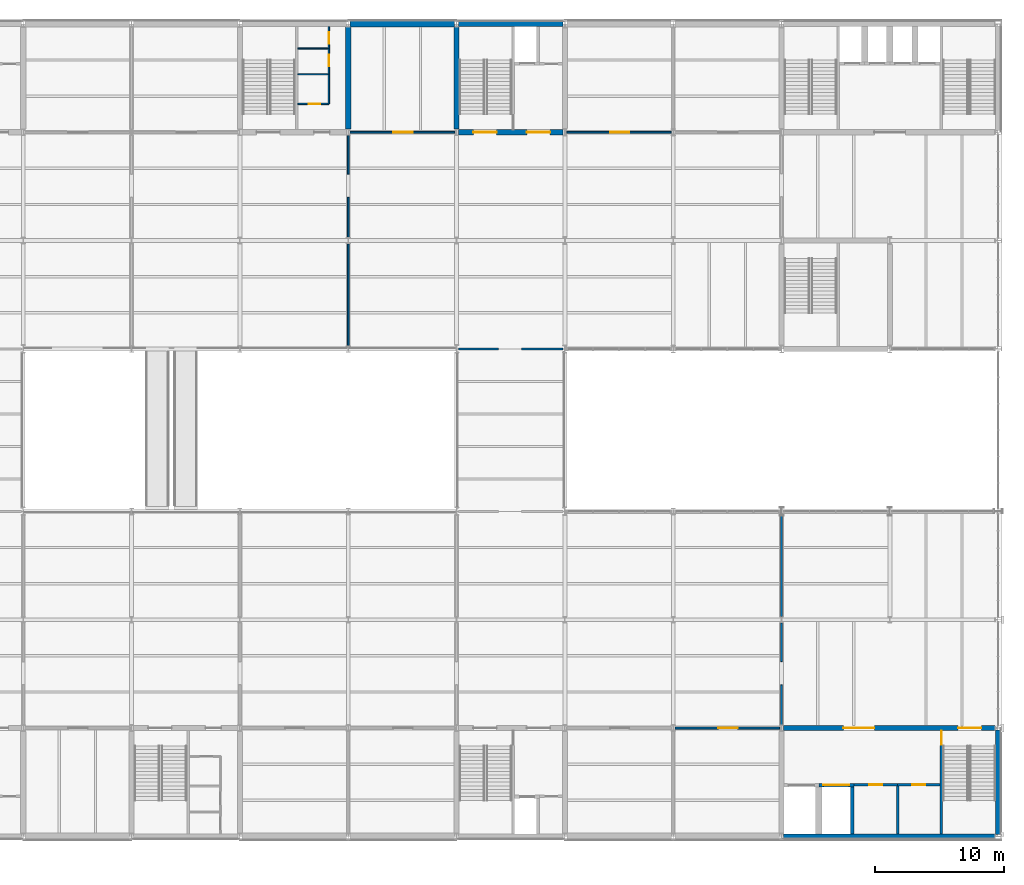
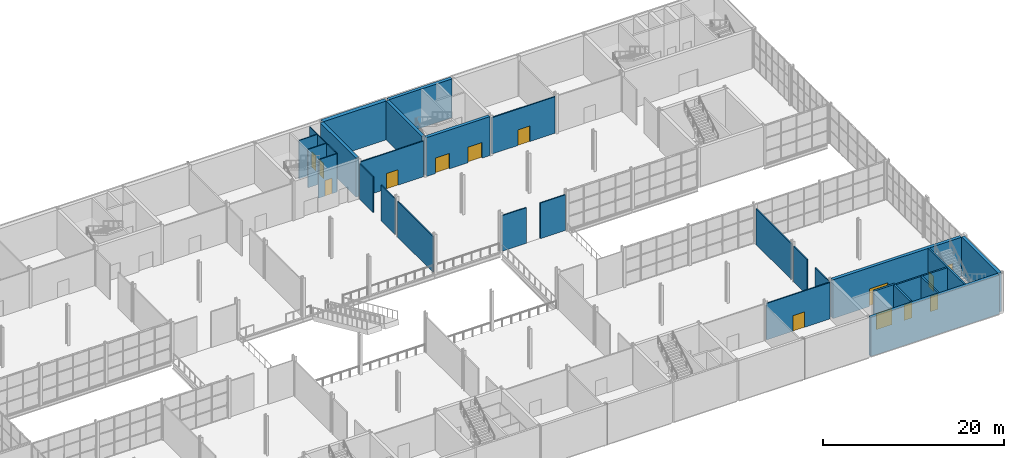
# One storey, part 43 of 64: 31 walls, 14 doors, 14 openings.
"""IFC4 building model written with IfcOpenShell, lengths in metres."""

from ifc_helpers import new_model, si_unit, direction, frame, frame_2d, origin, place, context, subcontext, project, spatial, rectangle, extrude, material, layer, layer_set, type_object, element, fill, save


model = new_model("IFC4")

# Units and contexts
model_context = context("Model", 3, precision=1e-05, world=origin(), true_north=direction((0.0, 1.0)))
body_context = subcontext(model_context, "Body", "Model", "MODEL_VIEW")
ifc_project = project(units=[si_unit("LENGTHUNIT", "METRE"), si_unit("AREAUNIT", "SQUARE_METRE"), si_unit("VOLUMEUNIT", "CUBIC_METRE"), si_unit("PLANEANGLEUNIT", "RADIAN"), si_unit("MASSUNIT", "GRAM", prefix="KILO")], contexts=[model_context])

# Site, building, storey
site_placement = place(None, origin())
site = spatial("IfcSite", under=ifc_project, at=site_placement, CompositionType="ELEMENT")
building_placement = place(site_placement, origin())
building = spatial("IfcBuilding", under=site, at=building_placement, Name="Galleria Vessillo Department Store", CompositionType="ELEMENT")
storey_placement = place(building_placement, frame((0.0, 0.0, 6.0)))
storey = spatial("IfcBuildingStorey", under=building, at=storey_placement, Name="L01", CompositionType="ELEMENT", Elevation=6.0)

# Wall, opening, door
ifc_material_1 = material(Name="Solid clay block masonry", Category="masonry")
ifc_layer_1 = layer(ifc_material_1, 0.25)
ifc_layer_set_1 = layer_set([ifc_layer_1], Name="Solid clay block masonry")
wall_type_1 = type_object("IfcWallType", Name="Lift shaft wall 250 mm", PredefinedType="SOLIDWALL", material=ifc_layer_set_1)
wall_1_placement = place(storey_placement, frame((103.699951171875, 3.97509765625, 0.0), z_axis=(0.0, 0.0, 1.0), x_axis=(1.0, 0.0, 0.0)))
wall_1 = element("IfcWall", 1, at=wall_1_placement, inside=storey, type_object=wall_type_1, Name="Lift shaft wall GL2 landing side L01", PredefinedType="SOLIDWALL", context=body_context, shape_type="SweptSolid", body=[
    extrude(rectangle(XDim=2.699951171875, YDim=0.25, at=frame_2d((1.35009765625, 0.0))), origin(), (0.0, 0.0, 1.0), 5.39990234375),
])
opening_1_placement = place(wall_1_placement, frame((0.35009765625, 0.0, 0.0)))
opening_1 = element("IfcOpeningElement", 2, at=opening_1_placement, cuts=wall_1, Name="Opening LD056", PredefinedType="OPENING", context=body_context, shape_type="SweptSolid", body=[
    extrude(rectangle(XDim=2.0, YDim=2.199951171875, at=frame_2d((1.0, 1.10009765625))), frame((0.0, 0.135009765625, 0.0), z_axis=(0.0, -1.0, 0.0), x_axis=(1.0, 0.0, 0.0)), (0.0, 0.0, 1.0), 0.27001953125),
])
ifc_material_2 = material(Name="Stainless steel lift door panel", Category="steel")
door_type_1 = type_object("IfcDoorType", Name="Lift landing door LD200 sliding 2000 x 2200", OperationType="DOUBLE_DOOR_SLIDING", PredefinedType="DOOR", material=ifc_material_2)
door_1_placement = place(opening_1_placement, origin())
door_1 = element("IfcDoor", 3, at=door_1_placement, inside=storey, type_object=door_type_1, Name="Lift landing door GL2 L01", OperationType="DOUBLE_DOOR_SLIDING", OverallHeight=2.199951171875, OverallWidth=2.0, PredefinedType="DOOR", context=body_context, shape_type="SweptSolid", body=[
    extrude(rectangle(XDim=2.0, YDim=2.199951171875, at=frame_2d((1.0, 1.10009765625))), frame((0.0, 0.02490234375, 0.0), z_axis=(0.0, -1.0, 0.0), x_axis=(1.0, 0.0, 0.0)), (0.0, 0.0, 1.0), 0.050048828125),
])
fill(opening_1, door_1)

# Wall
wall_2_placement = place(storey_placement, frame((106.27490234375, 0.199951171875, 0.0), z_axis=(0.0, 0.0, 1.0), x_axis=(0.0, 1.0, 0.0)))
element("IfcWall", 4, at=wall_2_placement, inside=storey, type_object=wall_type_1, Name="Lift shaft wall GL2 L01", PredefinedType="SOLIDWALL", context=body_context, shape_type="SweptSolid", body=[
    extrude(rectangle(XDim=3.650146484375, YDim=0.25, at=frame_2d((1.8251953125, 0.0))), origin(), (0.0, 0.0, 1.0), 5.39990234375),
])

# Wall, openings, doors
ifc_material_3 = material(Name="Concrete C32/40 reinforced", Category="concrete")
ifc_layer_2 = layer(ifc_material_3, 0.39990234375)
ifc_layer_set_2 = layer_set([ifc_layer_2], Name="Concrete C32/40 reinforced")
wall_type_2 = type_object("IfcWallType", Name="Reinforced concrete core wall 400 mm", PredefinedType="SHEAR", material=ifc_layer_set_2)
wall_3_placement = place(storey_placement, frame((75.75, 54.60009765625, 0.0), z_axis=(0.0, 0.0, 1.0), x_axis=(1.0, 0.0, 0.0)))
wall_3 = element("IfcWall", 5, at=wall_3_placement, inside=storey, type_object=wall_type_2, Name="S-CW-PC-NE-INTERIOR-L01", PredefinedType="SHEAR", context=body_context, shape_type="SweptSolid", body=[
    extrude(rectangle(XDim=8.096923828125, YDim=0.39990234375, at=frame_2d((4.04833984375, 0.0))), origin(), (0.0, 0.0, 1.0), 5.25),
])
opening_2_placement = place(wall_3_placement, frame((1.14990234375, 0.0, 0.0)))
opening_2 = element("IfcOpeningElement", 6, at=opening_2_placement, cuts=wall_3, Name="Opening D5171", PredefinedType="OPENING", context=body_context, shape_type="SweptSolid", body=[
    extrude(rectangle(XDim=1.800048828125, YDim=2.10009765625, at=frame_2d((0.89990234375, 1.050048828125))), frame((0.0, 0.2099609375, 0.0), z_axis=(0.0, -1.0, 0.0), x_axis=(1.0, 0.0, 0.0)), (0.0, 0.0, 1.0), 0.419921875),
])
opening_3_placement = place(wall_3_placement, frame((5.2998046875, 0.0, 0.0)))
opening_3 = element("IfcOpeningElement", 7, at=opening_3_placement, cuts=wall_3, Name="Opening D5172", PredefinedType="OPENING", context=body_context, shape_type="SweptSolid", body=[
    extrude(rectangle(XDim=1.800048828125, YDim=2.10009765625, at=frame_2d((0.89990234375, 1.050048828125))), frame((0.0, 0.2099609375, 0.0), z_axis=(0.0, -1.0, 0.0), x_axis=(1.0, 0.0, 0.0)), (0.0, 0.0, 1.0), 0.419921875),
])
ifc_material_4 = material(Name="Fire-rated steel door leaf", Category="steel")
door_type_2 = type_object("IfcDoorType", Name="Door D180F double leaf 1800 x 2100", OperationType="DOUBLE_DOOR_SINGLE_SWING", PredefinedType="DOOR", material=ifc_material_4)
door_2_placement = place(opening_2_placement, origin())
door_2 = element("IfcDoor", 8, at=door_2_placement, inside=storey, type_object=door_type_2, Name="Lobby door PC-NE-ST-FLOOR L01", OperationType="DOUBLE_DOOR_SINGLE_SWING", OverallHeight=2.10009765625, OverallWidth=1.800048828125, PredefinedType="DOOR", context=body_context, shape_type="SweptSolid", body=[
    extrude(rectangle(XDim=1.800048828125, YDim=2.10009765625, at=frame_2d((0.89990234375, 1.050048828125))), frame((0.0, 0.02490234375, 0.0), z_axis=(0.0, -1.0, 0.0), x_axis=(1.0, 0.0, 0.0)), (0.0, 0.0, 1.0), 0.050048828125),
])
fill(opening_2, door_2)
door_3_placement = place(opening_3_placement, origin())
door_3 = element("IfcDoor", 9, at=door_3_placement, inside=storey, type_object=door_type_2, Name="Lobby door PC-NE-LOBBY-FLOOR L01", OperationType="DOUBLE_DOOR_SINGLE_SWING", OverallHeight=2.10009765625, OverallWidth=1.800048828125, PredefinedType="DOOR", context=body_context, shape_type="SweptSolid", body=[
    extrude(rectangle(XDim=1.800048828125, YDim=2.10009765625, at=frame_2d((0.89990234375, 1.050048828125))), frame((0.0, 0.02490234375, 0.0), z_axis=(0.0, -1.0, 0.0), x_axis=(1.0, 0.0, 0.0)), (0.0, 0.0, 1.0), 0.050048828125),
])
fill(opening_3, door_3)

# Walls
for number, where, z_axis, x_axis, name in (
    (10, (75.60009765625, 54.85009765625, 0.0), (0.0, 0.0, 1.0), (0.0, 1.0, 0.0), "S-CW-PC-NE-WEST-L01"),
    (11, (67.199951171875, 54.85009765625, 0.0), (0.0, 0.0, 1.0), (0.0, 1.0, 0.0), "S-CW-PC-NC-EAST-L01"),
):
    element("IfcWall", number, at=place(storey_placement, frame(where, z_axis=z_axis, x_axis=x_axis)), inside=storey, type_object=wall_type_2, Name=name, PredefinedType="SHEAR", context=body_context, shape_type="SweptSolid", body=[
        extrude(rectangle(XDim=7.89990234375, YDim=0.39990234375, at=frame_2d((3.949951171875, 0.0))), origin(), (0.0, 0.0, 1.0), 5.25),
    ])

# Wall, openings, doors
wall_4_placement = place(storey_placement, frame((100.949951171875, 8.39990234375, 0.0), z_axis=(0.0, 0.0, 1.0), x_axis=(1.0, 0.0, 0.0)))
wall_4 = element("IfcWall", 12, at=wall_4_placement, inside=storey, type_object=wall_type_2, Name="S-CW-GC-INTERIOR-L01", PredefinedType="SHEAR", context=body_context, shape_type="SweptSolid", body=[
    extrude(rectangle(XDim=16.400146484375, YDim=0.39990234375, at=frame_2d((8.2001953125, 0.0))), origin(), (0.0, 0.0, 1.0), 5.25),
])
opening_4_placement = place(wall_4_placement, frame((13.5498046875, 0.0, 0.0)))
opening_4 = element("IfcOpeningElement", 13, at=opening_4_placement, cuts=wall_4, Name="Opening D5237", PredefinedType="OPENING", context=body_context, shape_type="SweptSolid", body=[
    extrude(rectangle(XDim=1.800048828125, YDim=2.10009765625, at=frame_2d((0.89990234375, 1.050048828125))), frame((0.0, 0.2099609375, 0.0), z_axis=(0.0, -1.0, 0.0), x_axis=(1.0, 0.0, 0.0)), (0.0, 0.0, 1.0), 0.419921875),
])
opening_5_placement = place(wall_4_placement, frame((4.64990234375, 0.0, 0.0)))
opening_5 = element("IfcOpeningElement", 14, at=opening_5_placement, cuts=wall_4, Name="Opening D5238", PredefinedType="OPENING", context=body_context, shape_type="SweptSolid", body=[
    extrude(rectangle(XDim=2.39990234375, YDim=2.39990234375, at=frame_2d((1.199951171875, 1.199951171875))), frame((0.0, 0.2099609375, 0.0), z_axis=(0.0, -1.0, 0.0), x_axis=(1.0, 0.0, 0.0)), (0.0, 0.0, 1.0), 0.419921875),
])
door_4_placement = place(opening_4_placement, frame((1.800048828125, 0.0, 0.0), z_axis=(0.0, 0.0, 1.0), x_axis=(-1.0, 0.0, 0.0)))
door_4 = element("IfcDoor", 15, at=door_4_placement, inside=storey, type_object=door_type_2, Name="Lobby door GC-ST7-FLOOR L01", OperationType="DOUBLE_DOOR_SINGLE_SWING", OverallHeight=2.10009765625, OverallWidth=1.800048828125, PredefinedType="DOOR", context=body_context, shape_type="SweptSolid", body=[
    extrude(rectangle(XDim=1.800048828125, YDim=2.10009765625, at=frame_2d((0.89990234375, 1.050048828125))), frame((0.0, 0.02490234375, 0.0), z_axis=(0.0, -1.0, 0.0), x_axis=(1.0, 0.0, 0.0)), (0.0, 0.0, 1.0), 0.050048828125),
])
fill(opening_4, door_4)
ifc_material_5 = material(Name="Fire-rated steel door leaf", Category="steel")
door_type_3 = type_object("IfcDoorType", Name="Door D240F double leaf 2400 x 2400", OperationType="DOUBLE_DOOR_SINGLE_SWING", PredefinedType="DOOR", material=ifc_material_5)
door_5_placement = place(opening_5_placement, frame((2.39990234375, 0.0, 0.0), z_axis=(0.0, 0.0, 1.0), x_axis=(-1.0, 0.0, 0.0)))
door_5 = element("IfcDoor", 16, at=door_5_placement, inside=storey, type_object=door_type_3, Name="Lobby door GC-DOCK L01", OperationType="DOUBLE_DOOR_SINGLE_SWING", OverallHeight=2.39990234375, OverallWidth=2.39990234375, PredefinedType="DOOR", context=body_context, shape_type="SweptSolid", body=[
    extrude(rectangle(XDim=2.39990234375, YDim=2.39990234375, at=frame_2d((1.199951171875, 1.199951171875))), frame((0.0, 0.02490234375, 0.0), z_axis=(0.0, -1.0, 0.0), x_axis=(1.0, 0.0, 0.0)), (0.0, 0.0, 1.0), 0.050048828125),
])
fill(opening_5, door_5)

# Walls
ifc_material_6 = material(Name="Concrete C32/40 reinforced", Category="concrete")
ifc_layer_3 = layer(ifc_material_6, 0.39990234375)
ifc_layer_set_3 = layer_set([ifc_layer_3], Name="Concrete C32/40 reinforced")
wall_type_3 = type_object("IfcWallType", Name="Reinforced concrete core wall 400 mm, external", PredefinedType="SHEAR", material=ifc_layer_set_3)
wall_5_placement = place(storey_placement, frame((75.75, 63.0, 0.0), z_axis=(0.0, 0.0, 1.0), x_axis=(1.0, 0.0, 0.0)))
element("IfcWall", 17, at=wall_5_placement, inside=storey, type_object=wall_type_3, Name="S-CW-PC-NE-PARTY-L01", PredefinedType="SHEAR", context=body_context, shape_type="SweptSolid", body=[
    extrude(rectangle(XDim=8.096923828125, YDim=0.39990234375, at=frame_2d((4.04833984375, 0.0))), origin(), (0.0, 0.0, 1.0), 5.25),
])
wall_6_placement = place(storey_placement, frame((100.949951171875, 0.0, 0.0), z_axis=(0.0, 0.0, 1.0), x_axis=(1.0, 0.0, 0.0)))
element("IfcWall", 18, at=wall_6_placement, inside=storey, type_object=wall_type_3, Name="S-CW-GC-PARTY-L01", PredefinedType="SHEAR", context=body_context, shape_type="SweptSolid", body=[
    extrude(rectangle(XDim=16.400146484375, YDim=0.39990234375, at=frame_2d((8.2001953125, 0.0))), origin(), (0.0, 0.0, 1.0), 5.25),
])
wall_7_placement = place(storey_placement, frame((117.60009765625, 0.14990234375, 0.0), z_axis=(0.0, 0.0, 1.0), x_axis=(0.0, 1.0, 0.0)))
element("IfcWall", 19, at=wall_7_placement, inside=storey, type_object=wall_type_3, Name="S-CW-GC-EAST-L01", PredefinedType="SHEAR", context=body_context, shape_type="SweptSolid", body=[
    extrude(rectangle(XDim=8.10009765625, YDim=0.39990234375, at=frame_2d((4.050048828125, 0.0))), origin(), (0.0, 0.0, 1.0), 5.25),
])
ifc_material_7 = material(Name="Concrete C32/40 reinforced", Category="concrete")
ifc_layer_4 = layer(ifc_material_7, 0.5)
ifc_layer_set_4 = layer_set([ifc_layer_4], Name="Concrete C32/40 reinforced")
wall_type_4 = type_object("IfcWallType", Name="Reinforced concrete party wall 500 mm", PredefinedType="SHEAR", material=ifc_layer_set_4)
wall_8_placement = place(storey_placement, frame((67.349853515625, 63.0, 0.0), z_axis=(0.0, 0.0, 1.0), x_axis=(1.0, 0.0, 0.0)))
element("IfcWall", 20, at=wall_8_placement, inside=storey, type_object=wall_type_4, Name="S-PN-L01-06", PredefinedType="SHEAR", context=body_context, shape_type="SweptSolid", body=[
    extrude(rectangle(XDim=8.100341796875, YDim=0.5, at=frame_2d((4.05029296875, 0.0))), origin(), (0.0, 0.0, 1.0), 5.25),
])

# Wall, opening, door
ifc_material_8 = material(Name="Concrete C32/40 reinforced", Category="concrete")
ifc_layer_5 = layer(ifc_material_8, 0.199951171875)
ifc_layer_set_5 = layer_set([ifc_layer_5], Name="Concrete C32/40 reinforced")
wall_type_5 = type_object("IfcWallType", Name="Reinforced concrete stair enclosure wall 200 mm", PredefinedType="SHEAR", material=ifc_layer_set_5)
wall_9_placement = place(storey_placement, frame((113.199951171875, 0.199951171875, 0.0), z_axis=(0.0, 0.0, 1.0), x_axis=(0.0, 1.0, 0.0)))
wall_9 = element("IfcWall", 21, at=wall_9_placement, inside=storey, type_object=wall_type_5, Name="Stair enclosure wall GC L01", PredefinedType="SHEAR", context=body_context, shape_type="SweptSolid", body=[
    extrude(rectangle(XDim=8.0, YDim=0.199951171875, at=frame_2d((4.0, 0.0))), origin(), (0.0, 0.0, 1.0), 5.25),
])
opening_6_placement = place(wall_9_placement, frame((6.89990234375, 0.0, 0.0)))
opening_6 = element("IfcOpeningElement", 22, at=opening_6_placement, cuts=wall_9, Name="Opening D5234", PredefinedType="OPENING", context=body_context, shape_type="SweptSolid", body=[
    extrude(rectangle(XDim=1.11009765625, YDim=2.10009765625, at=frame_2d((0.554931640625, 1.050048828125))), frame((0.0, 0.10986328125, 0.0), z_axis=(0.0, -1.0, 0.0), x_axis=(1.0, 0.0, 0.0)), (0.0, 0.0, 1.0), 0.219970703125),
])
ifc_material_9 = material(Name="Fire-rated steel door leaf", Category="steel")
door_type_4 = type_object("IfcDoorType", Name="Door D110F stair door 1100 x 2100", OperationType="SINGLE_SWING_LEFT", PredefinedType="DOOR", material=ifc_material_9)
door_6_placement = place(opening_6_placement, frame((1.10009765625, 0.0, 0.0), z_axis=(0.0, 0.0, 1.0), x_axis=(-1.0, 0.0, 0.0)))
door_6 = element("IfcDoor", 23, at=door_6_placement, inside=storey, type_object=door_type_4, Name="Stair door GC-ST7-LOBBY L01", OperationType="SINGLE_SWING_LEFT", OverallHeight=2.10009765625, OverallWidth=1.10009765625, PredefinedType="DOOR", context=body_context, shape_type="SweptSolid", body=[
    extrude(rectangle(XDim=1.10009765625, YDim=2.10009765625, at=frame_2d((0.550048828125, 1.050048828125))), frame((0.0, 0.02490234375, 0.0), z_axis=(0.0, -1.0, 0.0), x_axis=(1.0, 0.0, 0.0)), (0.0, 0.0, 1.0), 0.050048828125),
])
fill(opening_6, door_6)

ifc_material_10 = material(Name="Hollow clay block masonry", Category="masonry")
ifc_layer_6 = layer(ifc_material_10, 0.199951171875)
ifc_layer_set_6 = layer_set([ifc_layer_6], Name="Hollow clay block masonry")
wall_type_6 = type_object("IfcWallType", Name="Riser and service room wall 200 mm", PredefinedType="PARTITIONING", material=ifc_layer_set_6)
wall_10_placement = place(storey_placement, frame((106.39990234375, 4.0, 0.0), z_axis=(0.0, 0.0, 1.0), x_axis=(1.0, 0.0, 0.0)))
wall_10 = element("IfcWall", 24, at=wall_10_placement, inside=storey, type_object=wall_type_6, Name="Service room wall GC-SERVICE-1 L01", PredefinedType="PARTITIONING", context=body_context, shape_type="SweptSolid", body=[
    extrude(rectangle(XDim=3.400146484375, YDim=0.199951171875, at=frame_2d((1.7001953125, 0.0))), origin(), (0.0, 0.0, 1.0), 5.25),
])
opening_7_placement = place(wall_10_placement, frame((1.2001953125, 0.0, 0.0)))
opening_7 = element("IfcOpeningElement", 25, at=opening_7_placement, cuts=wall_10, Name="Opening D5235", PredefinedType="OPENING", context=body_context, shape_type="SweptSolid", body=[
    extrude(rectangle(XDim=1.0, YDim=2.10009765625, at=frame_2d((0.5, 1.050048828125))), frame((0.0, 0.10986328125, 0.0), z_axis=(0.0, -1.0, 0.0), x_axis=(1.0, 0.0, 0.0)), (0.0, 0.0, 1.0), 0.219970703125),
])
ifc_material_11 = material(Name="Fire-rated steel door leaf", Category="steel")
door_type_5 = type_object("IfcDoorType", Name="Door D100 service room 1000 x 2100", OperationType="SINGLE_SWING_LEFT", PredefinedType="DOOR", material=ifc_material_11)
door_7_placement = place(opening_7_placement, frame((1.0, 0.0, 0.0), z_axis=(0.0, 0.0, 1.0), x_axis=(-1.0, 0.0, 0.0)))
door_7 = element("IfcDoor", 26, at=door_7_placement, inside=storey, type_object=door_type_5, Name="Service room door GC-SERVICE-1 L01", OperationType="SINGLE_SWING_LEFT", OverallHeight=2.10009765625, OverallWidth=1.0, PredefinedType="DOOR", context=body_context, shape_type="SweptSolid", body=[
    extrude(rectangle(XDim=1.0, YDim=2.10009765625, at=frame_2d((0.5, 1.050048828125))), frame((0.0, 0.02490234375, 0.0), z_axis=(0.0, -1.0, 0.0), x_axis=(1.0, 0.0, 0.0)), (0.0, 0.0, 1.0), 0.050048828125),
])
fill(opening_7, door_7)

# Wall
wall_11_placement = place(storey_placement, frame((109.800048828125, 0.199951171875, 0.0), z_axis=(0.0, 0.0, 1.0), x_axis=(0.0, 1.0, 0.0)))
element("IfcWall", 27, at=wall_11_placement, inside=storey, type_object=wall_type_6, Name="Service room partition GC L01", PredefinedType="PARTITIONING", context=body_context, shape_type="SweptSolid", body=[
    extrude(rectangle(XDim=3.7001953125, YDim=0.199951171875, at=frame_2d((1.85009765625, 0.0))), origin(), (0.0, 0.0, 1.0), 5.25),
])

# Wall, opening, door
wall_12_placement = place(storey_placement, frame((109.800048828125, 4.0, 0.0), z_axis=(0.0, 0.0, 1.0), x_axis=(1.0, 0.0, 0.0)))
wall_12 = element("IfcWall", 28, at=wall_12_placement, inside=storey, type_object=wall_type_6, Name="Service room wall GC-SERVICE-2 L01", PredefinedType="PARTITIONING", context=body_context, shape_type="SweptSolid", body=[
    extrude(rectangle(XDim=3.300048828125, YDim=0.199951171875, at=frame_2d((1.64990234375, 0.0))), origin(), (0.0, 0.0, 1.0), 5.25),
])
opening_8_placement = place(wall_12_placement, frame((1.14990234375, 0.0, 0.0)))
opening_8 = element("IfcOpeningElement", 29, at=opening_8_placement, cuts=wall_12, Name="Opening D5236", PredefinedType="OPENING", context=body_context, shape_type="SweptSolid", body=[
    extrude(rectangle(XDim=1.0, YDim=2.10009765625, at=frame_2d((0.5, 1.050048828125))), frame((0.0, 0.10986328125, 0.0), z_axis=(0.0, -1.0, 0.0), x_axis=(1.0, 0.0, 0.0)), (0.0, 0.0, 1.0), 0.219970703125),
])
door_8_placement = place(opening_8_placement, frame((1.0, 0.0, 0.0), z_axis=(0.0, 0.0, 1.0), x_axis=(-1.0, 0.0, 0.0)))
door_8 = element("IfcDoor", 30, at=door_8_placement, inside=storey, type_object=door_type_5, Name="Service room door GC-SERVICE-2 L01", OperationType="SINGLE_SWING_RIGHT", OverallHeight=2.10009765625, OverallWidth=1.0, PredefinedType="DOOR", context=body_context, shape_type="SweptSolid", body=[
    extrude(rectangle(XDim=1.0, YDim=2.10009765625, at=frame_2d((0.5, 1.050048828125))), frame((0.0, 0.02490234375, 0.0), z_axis=(0.0, -1.0, 0.0), x_axis=(1.0, 0.0, 0.0)), (0.0, 0.0, 1.0), 0.050048828125),
])
fill(opening_8, door_8)

# Walls
ifc_material_12 = material(Name="Gypsum board partition")
ifc_layer_7 = layer(ifc_material_12, 0.139892578125)
ifc_layer_set_7 = layer_set([ifc_layer_7], Name="Gypsum board partition")
wall_type_7 = type_object("IfcWallType", Name="Sales dividing wall 140 mm", PredefinedType="PARTITIONING", material=ifc_layer_set_7)
wall_13_placement = place(storey_placement, frame((100.800048828125, 8.64990234375, 0.0), z_axis=(0.0, 0.0, 1.0), x_axis=(0.0, 1.0, 0.0)))
element("IfcWall", 31, at=wall_13_placement, inside=storey, type_object=wall_type_7, Name="Partition wall PT3 on L01 no. 047", PredefinedType="PARTITIONING", context=body_context, shape_type="SweptSolid", body=[
    extrude(rectangle(XDim=3.10009765625, YDim=0.139892578125, at=frame_2d((1.550048828125, 0.0))), origin(), (0.0, 0.0, 1.0), 4.81005859375),
])
wall_14_placement = place(storey_placement, frame((100.800048828125, 13.5498046875, 0.0), z_axis=(0.0, 0.0, 1.0), x_axis=(0.0, 1.0, 0.0)))
element("IfcWall", 32, at=wall_14_placement, inside=storey, type_object=wall_type_7, Name="Partition wall PT3 on L01 no. 048", PredefinedType="PARTITIONING", context=body_context, shape_type="SweptSolid", body=[
    extrude(rectangle(XDim=3.000244140625, YDim=0.139892578125, at=frame_2d((1.5, 0.0))), origin(), (0.0, 0.0, 1.0), 4.81005859375),
])
wall_15_placement = place(storey_placement, frame((100.800048828125, 17.050048828125, 0.0), z_axis=(0.0, 0.0, 1.0), x_axis=(0.0, 1.0, 0.0)))
element("IfcWall", 33, at=wall_15_placement, inside=storey, type_object=wall_type_7, Name="Partition wall PT3 on L01 no. 049", PredefinedType="PARTITIONING", context=body_context, shape_type="SweptSolid", body=[
    extrude(rectangle(XDim=7.81591796875, YDim=0.139892578125, at=frame_2d((3.907958984375, 0.0))), origin(), (0.0, 0.0, 1.0), 4.81005859375),
])
wall_16_placement = place(storey_placement, frame((67.199951171875, 38.06201171875, 0.0), z_axis=(0.0, 0.0, 1.0), x_axis=(0.0, 1.0, 0.0)))
element("IfcWall", 34, at=wall_16_placement, inside=storey, type_object=wall_type_7, Name="Partition wall PT3 on L01 no. 060", PredefinedType="PARTITIONING", context=body_context, shape_type="SweptSolid", body=[
    extrude(rectangle(XDim=7.887939453125, YDim=0.139892578125, at=frame_2d((3.94384765625, 0.0))), origin(), (0.0, 0.0, 1.0), 4.81005859375),
])
wall_17_placement = place(storey_placement, frame((67.199951171875, 46.449951171875, 0.0), z_axis=(0.0, 0.0, 1.0), x_axis=(0.0, 1.0, 0.0)))
element("IfcWall", 35, at=wall_17_placement, inside=storey, type_object=wall_type_7, Name="Partition wall PT3 on L01 no. 061", PredefinedType="PARTITIONING", context=body_context, shape_type="SweptSolid", body=[
    extrude(rectangle(XDim=3.10009765625, YDim=0.139892578125, at=frame_2d((1.550048828125, 0.0))), origin(), (0.0, 0.0, 1.0), 4.81005859375),
])
wall_18_placement = place(storey_placement, frame((67.199951171875, 51.349853515625, 0.0), z_axis=(0.0, 0.0, 1.0), x_axis=(0.0, 1.0, 0.0)))
element("IfcWall", 36, at=wall_18_placement, inside=storey, type_object=wall_type_7, Name="Partition wall PT3 on L01 no. 062", PredefinedType="PARTITIONING", context=body_context, shape_type="SweptSolid", body=[
    extrude(rectangle(XDim=3.000244140625, YDim=0.139892578125, at=frame_2d((1.5, 0.0))), origin(), (0.0, 0.0, 1.0), 4.81005859375),
])
wall_19_placement = place(storey_placement, frame((75.752685546875, 37.800048828125, 0.0), z_axis=(0.0, 0.0, 1.0), x_axis=(1.0, 0.0, 0.0)))
element("IfcWall", 37, at=wall_19_placement, inside=storey, type_object=wall_type_7, Name="Partition wall PT3 on L01 no. 065", PredefinedType="PARTITIONING", context=body_context, shape_type="SweptSolid", body=[
    extrude(rectangle(XDim=3.099853515625, YDim=0.139892578125, at=frame_2d((1.5498046875, 0.0))), origin(), (0.0, 0.0, 1.0), 4.81005859375),
])
wall_20_placement = place(storey_placement, frame((80.652587890625, 37.800048828125, 0.0), z_axis=(0.0, 0.0, 1.0), x_axis=(1.0, 0.0, 0.0)))
element("IfcWall", 38, at=wall_20_placement, inside=storey, type_object=wall_type_7, Name="Partition wall PT3 on L01 no. 066", PredefinedType="PARTITIONING", context=body_context, shape_type="SweptSolid", body=[
    extrude(rectangle(XDim=3.1943359375, YDim=0.139892578125, at=frame_2d((1.59716796875, 0.0))), origin(), (0.0, 0.0, 1.0), 4.81005859375),
])

# Wall, opening, door
ifc_material_13 = material(Name="Concrete blockwork", Category="masonry")
ifc_layer_8 = layer(ifc_material_13, 0.14990234375)
ifc_layer_set_8 = layer_set([ifc_layer_8], Name="Concrete blockwork")
wall_type_8 = type_object("IfcWallType", Name="Stockroom blockwork wall 150 mm", PredefinedType="SOLIDWALL", material=ifc_layer_set_8)
wall_21_placement = place(storey_placement, frame((92.5498046875, 8.39990234375, 0.0), z_axis=(0.0, 0.0, 1.0), x_axis=(1.0, 0.0, 0.0)))
wall_21 = element("IfcWall", 39, at=wall_21_placement, inside=storey, type_object=wall_type_8, Name="Partition wall PT4 on L01 no. 022", PredefinedType="SOLIDWALL", context=body_context, shape_type="SweptSolid", body=[
    extrude(rectangle(XDim=8.100341796875, YDim=0.14990234375, at=frame_2d((4.05029296875, 0.0))), origin(), (0.0, 0.0, 1.0), 4.919921875),
])
opening_9_placement = place(wall_21_placement, frame((3.35009765625, 0.0, 0.0)))
opening_9 = element("IfcOpeningElement", 40, at=opening_9_placement, cuts=wall_21, Name="Opening D2313", PredefinedType="OPENING", context=body_context, shape_type="SweptSolid", body=[
    extrude(rectangle(XDim=1.5, YDim=2.10009765625, at=frame_2d((0.75, 1.050048828125))), frame((0.0, 0.0849609375, 0.0), z_axis=(0.0, -1.0, 0.0), x_axis=(1.0, 0.0, 0.0)), (0.0, 0.0, 1.0), 0.169921875),
])
ifc_material_14 = material(Name="Steel fire door leaf", Category="steel")
door_type_6 = type_object("IfcDoorType", Name="Stockroom fire door 1500 double leaf", OperationType="DOUBLE_DOOR_SINGLE_SWING", PredefinedType="DOOR", material=ifc_material_14)
door_9_placement = place(opening_9_placement, frame((1.5, 0.0, 0.0), z_axis=(0.0, 0.0, 1.0), x_axis=(-1.0, 0.0, 0.0)))
door_9 = element("IfcDoor", 41, at=door_9_placement, inside=storey, type_object=door_type_6, Name="Door D2313", OperationType="DOUBLE_DOOR_SINGLE_SWING", OverallHeight=2.10009765625, OverallWidth=1.5, PredefinedType="DOOR", context=body_context, shape_type="SweptSolid", body=[
    extrude(rectangle(XDim=1.5, YDim=2.10009765625, at=frame_2d((0.75, 1.050048828125))), frame((0.0, 0.02490234375, 0.0), z_axis=(0.0, -1.0, 0.0), x_axis=(1.0, 0.0, 0.0)), (0.0, 0.0, 1.0), 0.050048828125),
])
fill(opening_9, door_9)

wall_22_placement = place(storey_placement, frame((67.349853515625, 54.60009765625, 0.0), z_axis=(0.0, 0.0, 1.0), x_axis=(1.0, 0.0, 0.0)))
wall_22 = element("IfcWall", 42, at=wall_22_placement, inside=storey, type_object=wall_type_8, Name="Partition wall PT4 on L01 no. 029", PredefinedType="SOLIDWALL", context=body_context, shape_type="SweptSolid", body=[
    extrude(rectangle(XDim=8.100341796875, YDim=0.14990234375, at=frame_2d((4.05029296875, 0.0))), origin(), (0.0, 0.0, 1.0), 4.81005859375),
])
opening_10_placement = place(wall_22_placement, frame((3.35009765625, 0.0, 0.0)))
opening_10 = element("IfcOpeningElement", 43, at=opening_10_placement, cuts=wall_22, Name="Opening D2318", PredefinedType="OPENING", context=body_context, shape_type="SweptSolid", body=[
    extrude(rectangle(XDim=1.5, YDim=2.10009765625, at=frame_2d((0.75, 1.050048828125))), frame((0.0, 0.0849609375, 0.0), z_axis=(0.0, -1.0, 0.0), x_axis=(1.0, 0.0, 0.0)), (0.0, 0.0, 1.0), 0.169921875),
])
door_10_placement = place(opening_10_placement, origin())
door_10 = element("IfcDoor", 44, at=door_10_placement, inside=storey, type_object=door_type_6, Name="Door D2318", OperationType="DOUBLE_DOOR_SINGLE_SWING", OverallHeight=2.10009765625, OverallWidth=1.5, PredefinedType="DOOR", context=body_context, shape_type="SweptSolid", body=[
    extrude(rectangle(XDim=1.5, YDim=2.10009765625, at=frame_2d((0.75, 1.050048828125))), frame((0.0, 0.02490234375, 0.0), z_axis=(0.0, -1.0, 0.0), x_axis=(1.0, 0.0, 0.0)), (0.0, 0.0, 1.0), 0.050048828125),
])
fill(opening_10, door_10)

wall_23_placement = place(storey_placement, frame((84.153076171875, 54.60009765625, 0.0), z_axis=(0.0, 0.0, 1.0), x_axis=(1.0, 0.0, 0.0)))
wall_23 = element("IfcWall", 45, at=wall_23_placement, inside=storey, type_object=wall_type_8, Name="Partition wall PT4 on L01 no. 031", PredefinedType="SOLIDWALL", context=body_context, shape_type="SweptSolid", body=[
    extrude(rectangle(XDim=8.09375, YDim=0.14990234375, at=frame_2d((4.046875, 0.0))), origin(), (0.0, 0.0, 1.0), 4.919921875),
])
opening_11_placement = place(wall_23_placement, frame((3.35009765625, 0.0, 0.0)))
opening_11 = element("IfcOpeningElement", 46, at=opening_11_placement, cuts=wall_23, Name="Opening D2319", PredefinedType="OPENING", context=body_context, shape_type="SweptSolid", body=[
    extrude(rectangle(XDim=1.5, YDim=2.10009765625, at=frame_2d((0.75, 1.050048828125))), frame((0.0, 0.0849609375, 0.0), z_axis=(0.0, -1.0, 0.0), x_axis=(1.0, 0.0, 0.0)), (0.0, 0.0, 1.0), 0.169921875),
])
door_11_placement = place(opening_11_placement, origin())
door_11 = element("IfcDoor", 47, at=door_11_placement, inside=storey, type_object=door_type_6, Name="Door D2319", OperationType="DOUBLE_DOOR_SINGLE_SWING", OverallHeight=2.10009765625, OverallWidth=1.5, PredefinedType="DOOR", context=body_context, shape_type="SweptSolid", body=[
    extrude(rectangle(XDim=1.5, YDim=2.10009765625, at=frame_2d((0.75, 1.050048828125))), frame((0.0, 0.02490234375, 0.0), z_axis=(0.0, -1.0, 0.0), x_axis=(1.0, 0.0, 0.0)), (0.0, 0.0, 1.0), 0.050048828125),
])
fill(opening_11, door_11)

ifc_material_15 = material(Name="Moisture-resistant board partition")
ifc_layer_9 = layer(ifc_material_15, 0.10009765625)
ifc_layer_set_9 = layer_set([ifc_layer_9], Name="Moisture-resistant board partition")
wall_type_9 = type_object("IfcWallType", Name="WC and cubicle partition 100 mm", PredefinedType="PARTITIONING", material=ifc_layer_set_9)
wall_24_placement = place(storey_placement, frame((63.300048828125, 56.800048828125, 0.0), z_axis=(0.0, 0.0, 1.0), x_axis=(1.0, 0.0, 0.0)))
wall_24 = element("IfcWall", 48, at=wall_24_placement, inside=storey, type_object=wall_type_9, Name="Partition wall PT1 on L01 no. 007", PredefinedType="PARTITIONING", context=body_context, shape_type="SweptSolid", body=[
    extrude(rectangle(XDim=2.39990234375, YDim=0.10009765625, at=frame_2d((1.199951171875, 0.0))), origin(), (0.0, 0.0, 1.0), 5.179931640625),
])
opening_12_placement = place(wall_24_placement, frame((0.85009765625, 0.0, 0.0)))
opening_12 = element("IfcOpeningElement", 49, at=opening_12_placement, cuts=wall_24, Name="Opening D2304", PredefinedType="OPENING", context=body_context, shape_type="SweptSolid", body=[
    extrude(rectangle(XDim=0.89990234375, YDim=2.10009765625, at=frame_2d((0.449951171875, 1.050048828125))), frame((0.0, 0.06005859375, 0.0), z_axis=(0.0, -1.0, 0.0), x_axis=(1.0, 0.0, 0.0)), (0.0, 0.0, 1.0), 0.1201171875),
])
ifc_material_16 = material(Name="Timber and glass door leaf", Category="wood")
door_type_7 = type_object("IfcDoorType", Name="Floor door 900 single leaf", OperationType="SINGLE_SWING_LEFT", PredefinedType="DOOR", material=ifc_material_16)
door_12_placement = place(opening_12_placement, frame((0.89990234375, 0.0, 0.0), z_axis=(0.0, 0.0, 1.0), x_axis=(-1.0, 0.0, 0.0)))
door_12 = element("IfcDoor", 50, at=door_12_placement, inside=storey, type_object=door_type_7, Name="Door D2304", OperationType="SINGLE_SWING_RIGHT", OverallHeight=2.10009765625, OverallWidth=0.89990234375, PredefinedType="DOOR", context=body_context, shape_type="SweptSolid", body=[
    extrude(rectangle(XDim=0.89990234375, YDim=2.10009765625, at=frame_2d((0.449951171875, 1.050048828125))), frame((0.0, 0.02490234375, 0.0), z_axis=(0.0, -1.0, 0.0), x_axis=(1.0, 0.0, 0.0)), (0.0, 0.0, 1.0), 0.050048828125),
])
fill(opening_12, door_12)

# Wall
wall_25_placement = place(storey_placement, frame((65.699951171875, 56.800048828125, 0.0), z_axis=(0.0, 0.0, 1.0), x_axis=(0.0, 1.0, 0.0)))
element("IfcWall", 51, at=wall_25_placement, inside=storey, type_object=wall_type_9, Name="Partition wall PT1 on L01 no. 008", PredefinedType="PARTITIONING", context=body_context, shape_type="SweptSolid", body=[
    extrude(rectangle(XDim=2.300048828125, YDim=0.10009765625, at=frame_2d((1.14990234375, 0.0))), origin(), (0.0, 0.0, 1.0), 5.179931640625),
])

# Wall, opening, door
wall_26_placement = place(storey_placement, frame((65.699951171875, 59.10009765625, 0.0), z_axis=(0.0, 0.0, 1.0), x_axis=(0.0, 1.0, 0.0)))
wall_26 = element("IfcWall", 52, at=wall_26_placement, inside=storey, type_object=wall_type_9, Name="Partition wall PT1 on L01 no. 009", PredefinedType="PARTITIONING", context=body_context, shape_type="SweptSolid", body=[
    extrude(rectangle(XDim=2.0, YDim=0.10009765625, at=frame_2d((1.0, 0.0))), origin(), (0.0, 0.0, 1.0), 5.179931640625),
])
opening_13_placement = place(wall_26_placement, frame((0.60009765625, 0.0, 0.0)))
opening_13 = element("IfcOpeningElement", 53, at=opening_13_placement, cuts=wall_26, Name="Opening D2305", PredefinedType="OPENING", context=body_context, shape_type="SweptSolid", body=[
    extrude(rectangle(XDim=0.89990234375, YDim=2.10009765625, at=frame_2d((0.449951171875, 1.050048828125))), frame((0.0, 0.06005859375, 0.0), z_axis=(0.0, -1.0, 0.0), x_axis=(1.0, 0.0, 0.0)), (0.0, 0.0, 1.0), 0.1201171875),
])
door_13_placement = place(opening_13_placement, frame((0.89990234375, 0.0, 0.0), z_axis=(0.0, 0.0, 1.0), x_axis=(-1.0, 0.0, 0.0)))
door_13 = element("IfcDoor", 54, at=door_13_placement, inside=storey, type_object=door_type_7, Name="Door D2305", OperationType="SINGLE_SWING_RIGHT", OverallHeight=2.10009765625, OverallWidth=0.89990234375, PredefinedType="DOOR", context=body_context, shape_type="SweptSolid", body=[
    extrude(rectangle(XDim=0.89990234375, YDim=2.10009765625, at=frame_2d((0.449951171875, 1.050048828125))), frame((0.0, 0.02490234375, 0.0), z_axis=(0.0, -1.0, 0.0), x_axis=(1.0, 0.0, 0.0)), (0.0, 0.0, 1.0), 0.050048828125),
])
fill(opening_13, door_13)

wall_27_placement = place(storey_placement, frame((65.699951171875, 61.10009765625, 0.0), z_axis=(0.0, 0.0, 1.0), x_axis=(0.0, 1.0, 0.0)))
wall_27 = element("IfcWall", 55, at=wall_27_placement, inside=storey, type_object=wall_type_9, Name="Partition wall PT1 on L01 no. 010", PredefinedType="PARTITIONING", context=body_context, shape_type="SweptSolid", body=[
    extrude(rectangle(XDim=1.699951171875, YDim=0.10009765625, at=frame_2d((0.85009765625, 0.0))), origin(), (0.0, 0.0, 1.0), 5.179931640625),
])
opening_14_placement = place(wall_27_placement, frame((0.35009765625, 0.0, 0.0)))
opening_14 = element("IfcOpeningElement", 56, at=opening_14_placement, cuts=wall_27, Name="Opening D2306", PredefinedType="OPENING", context=body_context, shape_type="SweptSolid", body=[
    extrude(rectangle(XDim=0.89990234375, YDim=2.10009765625, at=frame_2d((0.449951171875, 1.050048828125))), frame((0.0, 0.06005859375, 0.0), z_axis=(0.0, -1.0, 0.0), x_axis=(1.0, 0.0, 0.0)), (0.0, 0.0, 1.0), 0.1201171875),
])
ifc_material_17 = material(Name="Timber and glass door leaf", Category="wood")
door_type_8 = type_object("IfcDoorType", Name="Accessible WC door 900 sliding", OperationType="SLIDING_TO_LEFT", PredefinedType="DOOR", material=ifc_material_17)
door_14_placement = place(opening_14_placement, origin())
door_14 = element("IfcDoor", 57, at=door_14_placement, inside=storey, type_object=door_type_8, Name="Door D2306", OperationType="SLIDING_TO_RIGHT", OverallHeight=2.10009765625, OverallWidth=0.89990234375, PredefinedType="DOOR", context=body_context, shape_type="SweptSolid", body=[
    extrude(rectangle(XDim=0.89990234375, YDim=2.10009765625, at=frame_2d((0.449951171875, 1.050048828125))), frame((0.0, 0.02490234375, 0.0), z_axis=(0.0, -1.0, 0.0), x_axis=(1.0, 0.0, 0.0)), (0.0, 0.0, 1.0), 0.050048828125),
])
fill(opening_14, door_14)

# Walls
for number, where, z_axis, x_axis, name in (
    (58, (63.300048828125, 59.10009765625, 0.0), (0.0, 0.0, 1.0), (1.0, 0.0, 0.0), "Partition wall PT1 on L01 no. 011"),
    (59, (63.300048828125, 61.10009765625, 0.0), (0.0, 0.0, 1.0), (1.0, 0.0, 0.0), "Partition wall PT1 on L01 no. 012"),
):
    element("IfcWall", number, at=place(storey_placement, frame(where, z_axis=z_axis, x_axis=x_axis)), inside=storey, type_object=wall_type_9, Name=name, PredefinedType="PARTITIONING", context=body_context, shape_type="SweptSolid", body=[
        extrude(rectangle(XDim=2.39990234375, YDim=0.10009765625, at=frame_2d((1.199951171875, 0.0))), origin(), (0.0, 0.0, 1.0), 5.179931640625),
    ])

save(model, "model.ifc")
